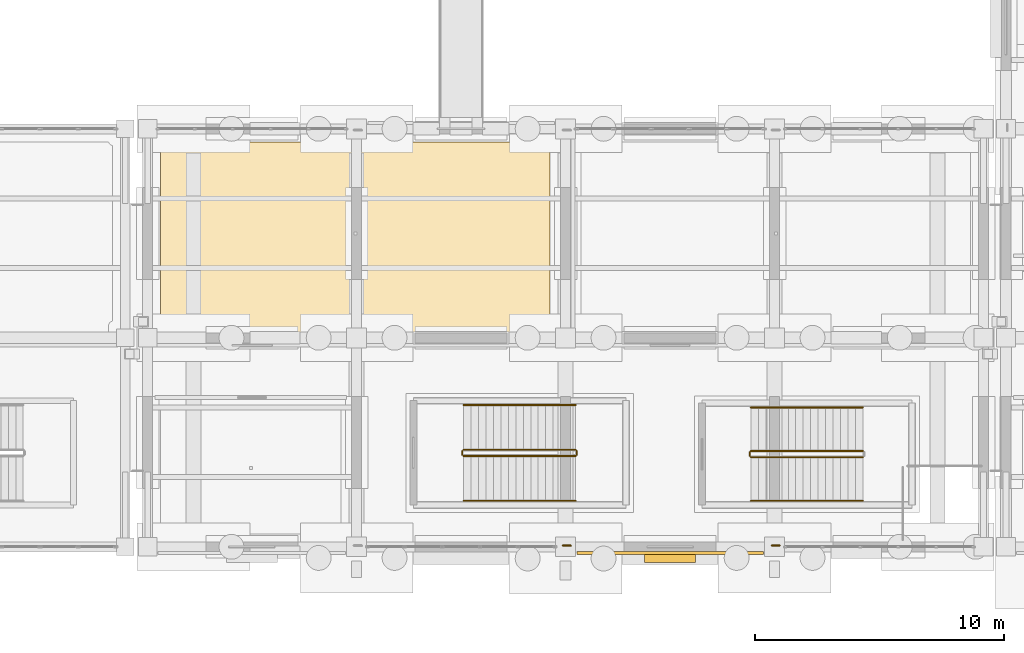
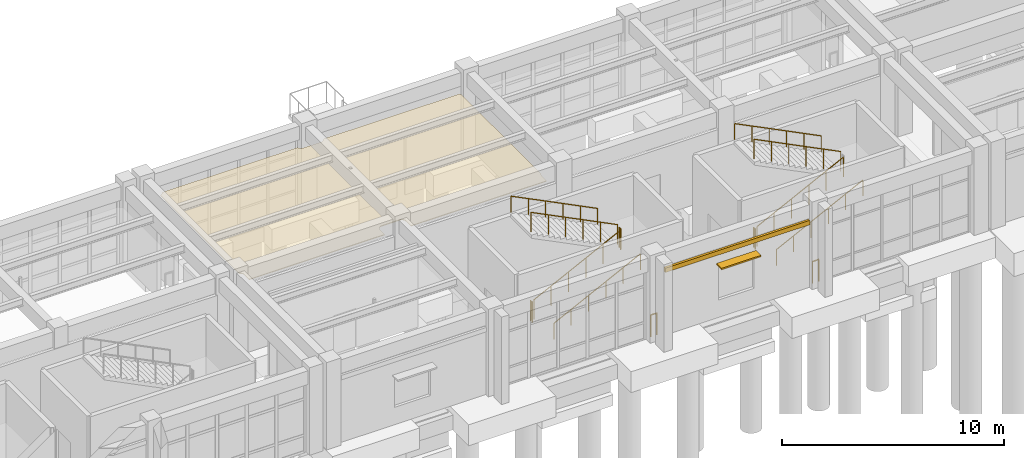
# One storey, part 99 of 111: 13 railings, 2 coverings, 1 shading device.
"""IFC4 building model written with IfcOpenShell, lengths in metres."""

from ifc_helpers import new_model, si_unit, direction, frame, origin, origin_2d, place, context, subcontext, project, spatial, polyline, rectangle, circle, outline, extrude, material, layer, layer_set, type_object, element, save


model = new_model("IFC4")

# Units and contexts
model_context = context("Model", 3, precision=1e-05, world=origin(), true_north=direction((0.0, 1.0)))
body_context = subcontext(model_context, "Body", "Model", "MODEL_VIEW")
ifc_project = project(units=[si_unit("LENGTHUNIT", "METRE"), si_unit("AREAUNIT", "SQUARE_METRE"), si_unit("VOLUMEUNIT", "CUBIC_METRE"), si_unit("PLANEANGLEUNIT", "RADIAN"), si_unit("MASSUNIT", "GRAM", prefix="KILO")], contexts=[model_context])

# Site, building, storey
site_placement = place(None, origin())
site = spatial("IfcSite", under=ifc_project, at=site_placement, CompositionType="ELEMENT")
building_placement = place(site_placement, origin())
building = spatial("IfcBuilding", under=site, at=building_placement, Name="Canglan Escarpment Cableway Terminal", CompositionType="ELEMENT")
storey_placement = place(building_placement, frame((0.0, 0.0, 4.800048828125)))
storey = spatial("IfcBuildingStorey", under=building, at=storey_placement, Name="L01", CompositionType="ELEMENT", Elevation=4.800048828125)

# Coverings
ifc_material_1 = material(Name="Micro-perforated acoustic aluminium ceiling", Category="aluminium")
ifc_layer_1 = layer(ifc_material_1, 0.0400390625, Name="Micro-perforated acoustic aluminium ceiling")
ifc_layer_set_1 = layer_set([ifc_layer_1], Name="Micro-perforated acoustic aluminium ceiling")
covering_type_1 = type_object("IfcCoveringType", Name="COV-CEIL-ACOUSTIC-40", PredefinedType="CEILING", material=ifc_layer_set_1)
covering_1_placement = place(storey_placement, frame((0.0, 0.0, 3.6298828125)))
element("IfcCovering", 1, at=covering_1_placement, inside=storey, type_object=covering_type_1, Name="Equipment Rental Hall suspended acoustic ceiling", PredefinedType="CEILING", context=body_context, shape_type="SweptSolid", body=[
    extrude(outline(polyline([(77.533203125, 17.067138671875), (77.531494140625, 17.06787109375), (77.52978515625, 17.06884765625), (77.5283203125, 17.06982421875), (77.52685546875, 17.071044921875), (77.525390625, 17.072265625), (77.524169921875, 17.07373046875), (77.523193359375, 17.0751953125), (77.522216796875, 17.076904296875), (77.521484375, 17.07861328125), (77.520751953125, 17.080322265625), (77.5205078125, 17.082275390625), (77.52001953125, 17.083984375), (77.52001953125, 17.0859375), (77.52001953125, 24.114013671875), (77.52001953125, 24.115966796875), (77.5205078125, 24.117919921875), (77.520751953125, 24.11962890625), (77.521484375, 24.121337890625), (77.522216796875, 24.123046875), (77.523193359375, 24.124755859375), (77.524169921875, 24.126220703125), (77.525390625, 24.127685546875), (77.52685546875, 24.12890625), (77.5283203125, 24.130126953125), (77.52978515625, 24.131103515625), (77.531494140625, 24.132080078125), (77.533203125, 24.1328125), (77.543701171875, 24.13671875), (77.544677734375, 24.136962890625), (77.563232421875, 24.145751953125), (77.564208984375, 24.146240234375), (77.581787109375, 24.15673828125), (77.58251953125, 24.157470703125), (77.59912109375, 24.169677734375), (77.599853515625, 24.17041015625), (77.615234375, 24.18408203125), (77.615966796875, 24.184814453125), (77.629638671875, 24.2001953125), (77.63037109375, 24.20068359375), (77.642578125, 24.21728515625), (77.643310546875, 24.21826171875), (77.65380859375, 24.23583984375), (77.654296875, 24.23681640625), (77.6630859375, 24.25537109375), (77.663330078125, 24.25634765625), (77.667236328125, 24.2666015625), (77.66796875, 24.2685546875), (77.668701171875, 24.270263671875), (77.669921875, 24.271728515625), (77.6708984375, 24.273193359375), (77.67236328125, 24.274658203125), (77.673583984375, 24.27587890625), (77.67529296875, 24.27685546875), (77.677001953125, 24.27783203125), (77.6787109375, 24.278564453125), (77.680419921875, 24.279296875), (77.68212890625, 24.279541015625), (77.68408203125, 24.27978515625), (77.68603515625, 24.280029296875), (84.714111328125, 24.280029296875), (84.7158203125, 24.27978515625), (84.7177734375, 24.279541015625), (84.719482421875, 24.279296875), (84.721435546875, 24.278564453125), (84.72314453125, 24.27783203125), (84.724609375, 24.27685546875), (84.726318359375, 24.27587890625), (84.727783203125, 24.274658203125), (84.72900390625, 24.273193359375), (84.730224609375, 24.271728515625), (84.731201171875, 24.270263671875), (84.732177734375, 24.2685546875), (84.73291015625, 24.2666015625), (84.736572265625, 24.25634765625), (84.737060546875, 24.25537109375), (84.745849609375, 24.23681640625), (84.74609375, 24.23583984375), (84.7568359375, 24.21826171875), (84.75732421875, 24.21728515625), (84.76953125, 24.20068359375), (84.770263671875, 24.2001953125), (84.7841796875, 24.184814453125), (84.784912109375, 24.18408203125), (84.800048828125, 24.17041015625), (84.80078125, 24.169677734375), (84.8173828125, 24.157470703125), (84.818115234375, 24.15673828125), (84.8359375, 24.146240234375), (84.836669921875, 24.145751953125), (84.85546875, 24.136962890625), (84.856201171875, 24.13671875), (84.875732421875, 24.129638671875), (84.876708984375, 24.12939453125), (84.896484375, 24.124267578125), (84.897705078125, 24.124267578125), (84.91796875, 24.12109375), (84.9189453125, 24.12109375), (84.939697265625, 24.1201171875), (84.940185546875, 24.1201171875), (85.85986328125, 24.1201171875), (85.860107421875, 24.1201171875), (85.881103515625, 24.12109375), (85.882080078125, 24.12109375), (85.90234375, 24.124267578125), (85.9033203125, 24.124267578125), (85.92333984375, 24.12939453125), (85.92431640625, 24.129638671875), (85.943603515625, 24.13671875), (85.944580078125, 24.136962890625), (85.96337890625, 24.145751953125), (85.964111328125, 24.146240234375), (85.981689453125, 24.15673828125), (85.982666015625, 24.157470703125), (85.999267578125, 24.169677734375), (86.0, 24.17041015625), (86.01513671875, 24.18408203125), (86.015869140625, 24.184814453125), (86.02978515625, 24.2001953125), (86.030517578125, 24.20068359375), (86.04248046875, 24.21728515625), (86.043212890625, 24.21826171875), (86.0537109375, 24.23583984375), (86.05419921875, 24.23681640625), (86.06298828125, 24.25537109375), (86.0634765625, 24.25634765625), (86.067138671875, 24.2666015625), (86.06787109375, 24.2685546875), (86.06884765625, 24.270263671875), (86.06982421875, 24.271728515625), (86.071044921875, 24.273193359375), (86.072265625, 24.274658203125), (86.07373046875, 24.27587890625), (86.0751953125, 24.27685546875), (86.076904296875, 24.27783203125), (86.07861328125, 24.278564453125), (86.080322265625, 24.279296875), (86.082275390625, 24.279541015625), (86.083984375, 24.27978515625), (86.0859375, 24.280029296875), (93.114013671875, 24.280029296875), (93.115966796875, 24.27978515625), (93.117919921875, 24.279541015625), (93.11962890625, 24.279296875), (93.121337890625, 24.278564453125), (93.123046875, 24.27783203125), (93.124755859375, 24.27685546875), (93.126220703125, 24.27587890625), (93.127685546875, 24.274658203125), (93.12890625, 24.273193359375), (93.130126953125, 24.271728515625), (93.131103515625, 24.270263671875), (93.132080078125, 24.2685546875), (93.1328125, 24.2666015625), (93.13671875, 24.25634765625), (93.136962890625, 24.25537109375), (93.145751953125, 24.23681640625), (93.146240234375, 24.23583984375), (93.15673828125, 24.21826171875), (93.157470703125, 24.21728515625), (93.169677734375, 24.20068359375), (93.17041015625, 24.2001953125), (93.1748046875, 24.195068359375), (93.176025390625, 24.193359375), (93.17724609375, 24.191650390625), (93.17822265625, 24.189697265625), (93.178955078125, 24.187744140625), (93.1796875, 24.185791015625), (93.179931640625, 24.18359375), (93.179931640625, 24.181640625), (93.179931640625, 17.018310546875), (93.179931640625, 17.016357421875), (93.1796875, 17.01416015625), (93.178955078125, 17.01220703125), (93.17822265625, 17.01025390625), (93.17724609375, 17.00830078125), (93.176025390625, 17.006591796875), (93.1748046875, 17.0048828125), (93.17041015625, 17.0), (93.169677734375, 16.999267578125), (93.157470703125, 16.982666015625), (93.15673828125, 16.981689453125), (93.146240234375, 16.964111328125), (93.145751953125, 16.96337890625), (93.136962890625, 16.944580078125), (93.13671875, 16.943603515625), (93.129638671875, 16.92431640625), (93.12939453125, 16.92333984375), (93.124267578125, 16.9033203125), (93.124267578125, 16.90234375), (93.12109375, 16.882080078125), (93.12109375, 16.881103515625), (93.1201171875, 16.860107421875), (93.1201171875, 16.85986328125), (93.1201171875, 16.43994140625), (93.119873046875, 16.43798828125), (93.11962890625, 16.43603515625), (93.119140625, 16.43408203125), (93.118408203125, 16.432373046875), (93.11767578125, 16.4306640625), (93.11669921875, 16.428955078125), (93.115478515625, 16.42724609375), (93.114013671875, 16.42578125), (93.11279296875, 16.424560546875), (93.111083984375, 16.42333984375), (93.109375, 16.42236328125), (93.107666015625, 16.42138671875), (93.105712890625, 16.4208984375), (93.10400390625, 16.42041015625), (93.10205078125, 16.420166015625), (93.10009765625, 16.419921875), (86.10009765625, 16.419921875), (86.097900390625, 16.420166015625), (86.09619140625, 16.42041015625), (86.09423828125, 16.4208984375), (86.09228515625, 16.42138671875), (86.090576171875, 16.42236328125), (86.0888671875, 16.42333984375), (86.08740234375, 16.424560546875), (86.0859375, 16.42578125), (86.08447265625, 16.42724609375), (86.08349609375, 16.428955078125), (86.08251953125, 16.4306640625), (86.08154296875, 16.432373046875), (86.080810546875, 16.43408203125), (86.080322265625, 16.43603515625), (86.080078125, 16.43798828125), (86.080078125, 16.43994140625), (86.080078125, 16.85986328125), (86.080078125, 16.860107421875), (86.0791015625, 16.881103515625), (86.078857421875, 16.882080078125), (86.07568359375, 16.90234375), (86.07568359375, 16.9033203125), (86.070556640625, 16.92333984375), (86.0703125, 16.92431640625), (86.0634765625, 16.943603515625), (86.06298828125, 16.944580078125), (86.05419921875, 16.96337890625), (86.0537109375, 16.964111328125), (86.043212890625, 16.981689453125), (86.04248046875, 16.982666015625), (86.030517578125, 16.999267578125), (86.02978515625, 17.0), (86.015869140625, 17.01513671875), (86.01513671875, 17.015869140625), (86.0, 17.02978515625), (85.999267578125, 17.030517578125), (85.982666015625, 17.04248046875), (85.981689453125, 17.043212890625), (85.964111328125, 17.0537109375), (85.96337890625, 17.05419921875), (85.944580078125, 17.06298828125), (85.943603515625, 17.0634765625), (85.92431640625, 17.0703125), (85.92333984375, 17.070556640625), (85.9033203125, 17.07568359375), (85.90234375, 17.07568359375), (85.882080078125, 17.078857421875), (85.881103515625, 17.0791015625), (85.860107421875, 17.080078125), (85.85986328125, 17.080078125), (84.940185546875, 17.080078125), (84.939697265625, 17.080078125), (84.9189453125, 17.0791015625), (84.91796875, 17.078857421875), (84.897705078125, 17.07568359375), (84.896484375, 17.07568359375), (84.876708984375, 17.070556640625), (84.875732421875, 17.0703125), (84.856201171875, 17.0634765625), (84.85546875, 17.06298828125), (84.836669921875, 17.05419921875), (84.8359375, 17.0537109375), (84.818115234375, 17.043212890625), (84.8173828125, 17.04248046875), (84.80078125, 17.030517578125), (84.800048828125, 17.02978515625), (84.784912109375, 17.015869140625), (84.7841796875, 17.01513671875), (84.770263671875, 17.0), (84.76953125, 16.999267578125), (84.75732421875, 16.982666015625), (84.7568359375, 16.981689453125), (84.74609375, 16.964111328125), (84.745849609375, 16.96337890625), (84.737060546875, 16.944580078125), (84.736572265625, 16.943603515625), (84.7294921875, 16.92431640625), (84.7294921875, 16.92333984375), (84.724365234375, 16.9033203125), (84.72412109375, 16.90234375), (84.72119140625, 16.882080078125), (84.720947265625, 16.881103515625), (84.719970703125, 16.860107421875), (84.719970703125, 16.85986328125), (84.719970703125, 16.43994140625), (84.719970703125, 16.43798828125), (84.719482421875, 16.43603515625), (84.718994140625, 16.43408203125), (84.718505859375, 16.432373046875), (84.717529296875, 16.4306640625), (84.716552734375, 16.428955078125), (84.715576171875, 16.42724609375), (84.714111328125, 16.42578125), (84.712646484375, 16.424560546875), (84.711181640625, 16.42333984375), (84.70947265625, 16.42236328125), (84.707763671875, 16.42138671875), (84.705810546875, 16.4208984375), (84.703857421875, 16.42041015625), (84.701904296875, 16.420166015625), (84.699951171875, 16.419921875), (77.699951171875, 16.419921875), (77.697998046875, 16.420166015625), (77.696044921875, 16.42041015625), (77.694091796875, 16.4208984375), (77.6923828125, 16.42138671875), (77.690673828125, 16.42236328125), (77.68896484375, 16.42333984375), (77.687255859375, 16.424560546875), (77.685791015625, 16.42578125), (77.6845703125, 16.42724609375), (77.683349609375, 16.428955078125), (77.682373046875, 16.4306640625), (77.681396484375, 16.432373046875), (77.680908203125, 16.43408203125), (77.680419921875, 16.43603515625), (77.68017578125, 16.43798828125), (77.679931640625, 16.43994140625), (77.679931640625, 16.85986328125), (77.679931640625, 16.860107421875), (77.678955078125, 16.881103515625), (77.678955078125, 16.882080078125), (77.67578125, 16.90234375), (77.67578125, 16.9033203125), (77.670654296875, 16.92333984375), (77.67041015625, 16.92431640625), (77.663330078125, 16.943603515625), (77.6630859375, 16.944580078125), (77.654296875, 16.96337890625), (77.65380859375, 16.964111328125), (77.643310546875, 16.981689453125), (77.642578125, 16.982666015625), (77.63037109375, 16.999267578125), (77.629638671875, 17.0), (77.615966796875, 17.01513671875), (77.615234375, 17.015869140625), (77.599853515625, 17.02978515625), (77.59912109375, 17.030517578125), (77.58251953125, 17.04248046875), (77.581787109375, 17.043212890625), (77.564208984375, 17.0537109375), (77.563232421875, 17.05419921875), (77.544677734375, 17.06298828125), (77.543701171875, 17.0634765625), (77.533203125, 17.067138671875)])), origin(), (0.0, 0.0, 1.0), 0.0400390625),
])
ifc_material_2 = material(Name="Carved classical limestone cornice", Category="masonry")
ifc_layer_2 = layer(ifc_material_2, 0.1201171875, Name="Carved classical limestone cornice")
ifc_layer_set_2 = layer_set([ifc_layer_2], Name="Carved classical limestone cornice")
covering_type_2 = type_object("IfcCoveringType", Name="COV-CORNICE-STONE", PredefinedType="CLADDING", material=ifc_layer_set_2)
covering_2_placement = place(storey_placement, frame((98.0, 7.760009765625, 3.52490234375), z_axis=(0.0, 0.0, 1.0), x_axis=(1.0, 0.0, 0.0)))
element("IfcCovering", 2, at=covering_2_placement, inside=storey, type_object=covering_type_2, Name="Classical carved limestone cornice CL-01", PredefinedType="CLADDING", context=body_context, shape_type="SweptSolid", body=[
    extrude(rectangle(XDim=7.5, YDim=0.1201171875, at=origin_2d()), origin(), (0.0, 0.0, 1.0), 0.239990234375),
])

# Railings
ifc_material_3 = material(Name="Carved limestone and anodized bronze balustrade", Category="masonry")
railing_type_1 = type_object("IfcRailingType", Name="RL-EXT-BALUSTRADE-1200", PredefinedType="BALUSTRADE", material=ifc_material_3)
railing_1_placement = place(storey_placement, frame((102.409912109375, 8.050048828125, 0.0)))
element("IfcRailing", 3, at=railing_1_placement, inside=storey, type_object=railing_type_1, Name="Classical terrace balustrade guard GD-01 (L01)", PredefinedType="BALUSTRADE", context=body_context, shape_type="SweptSolid", body=[
    extrude(circle(Radius=0.02392578125, at=origin_2d()), frame((0.0, 0.0, 1.17578125), z_axis=(-1.0, 0.0, 0.0), x_axis=(0.0, -1.0, 0.0)), (0.0, 0.0, 1.0), 0.31982421875),
    extrude(circle(Radius=0.02099609375, at=origin_2d()), origin(), (0.0, 0.0, 1.0), 1.15185546875),
    extrude(circle(Radius=0.02099609375, at=origin_2d()), frame((-0.31982421875, 0.0, 0.0)), (0.0, 0.0, 1.0), 1.15185546875),
])
railing_2_placement = place(storey_placement, frame((94.010009765625, 8.050048828125, 0.0)))
element("IfcRailing", 4, at=railing_2_placement, inside=storey, type_object=railing_type_1, Name="Classical terrace balustrade guard GD-01 (L01)", PredefinedType="BALUSTRADE", context=body_context, shape_type="SweptSolid", body=[
    extrude(circle(Radius=0.02392578125, at=origin_2d()), frame((0.0, 0.0, 1.17578125), z_axis=(-1.0, 0.0, 0.0), x_axis=(0.0, -1.0, 0.0)), (0.0, 0.0, 1.0), 0.320068359375),
    extrude(circle(Radius=0.02099609375, at=origin_2d()), origin(), (0.0, 0.0, 1.0), 1.15185546875),
    extrude(circle(Radius=0.02099609375, at=origin_2d()), frame((-0.320068359375, 0.0, 0.0)), (0.0, 0.0, 1.0), 1.15185546875),
])
ifc_material_4 = material(Name="Powder-coated steel stair balustrade", Category="steel")
railing_type_2 = type_object("IfcRailingType", Name="RL-STR-GUARD-1100", PredefinedType="BALUSTRADE", material=ifc_material_4)
railing_3_placement = place(storey_placement, frame((89.699951171875, 11.64990234375, 0.14990234375)))
element("IfcRailing", 5, at=railing_3_placement, inside=storey, type_object=railing_type_2, Name="L01 ST-06 stair guard 1", PredefinedType="BALUSTRADE", context=body_context, shape_type="SweptSolid", body=[
    extrude(circle(Radius=0.02392578125, at=origin_2d()), frame((0.0, 0.0, 1.076171875), z_axis=(0.894427191, 0.0, 0.4472135955), x_axis=(0.0, 1.0, 0.0)), (0.0, 0.0, 1.0), 5.03125),
    extrude(circle(Radius=0.02099609375, at=origin_2d()), origin(), (0.0, 0.0, 1.0), 1.052001953125),
    extrude(circle(Radius=0.02099609375, at=origin_2d()), frame((0.89990234375, 0.0, 0.449951171875)), (0.0, 0.0, 1.0), 1.052001953125),
    extrude(circle(Radius=0.02099609375, at=origin_2d()), frame((1.800048828125, 0.0, 0.89990234375)), (0.0, 0.0, 1.0), 1.052001953125),
    extrude(circle(Radius=0.02099609375, at=origin_2d()), frame((2.699951171875, 0.0, 1.35009765625)), (0.0, 0.0, 1.0), 1.052001953125),
    extrude(circle(Radius=0.02099609375, at=origin_2d()), frame((3.60009765625, 0.0, 1.800048828125)), (0.0, 0.0, 1.0), 1.052001953125),
    extrude(circle(Radius=0.02099609375, at=origin_2d()), frame((4.5, 0.0, 2.25)), (0.0, 0.0, 1.0), 1.052001953125),
])
railing_4_placement = place(storey_placement, frame((94.25, 11.699951171875, 2.39990234375)))
element("IfcRailing", 6, at=railing_4_placement, inside=storey, type_object=railing_type_2, Name="L01 ST-06 stair guard 2", PredefinedType="BALUSTRADE", context=body_context, shape_type="SweptSolid", body=[
    extrude(circle(Radius=0.02392578125, at=origin_2d()), frame((0.0, 0.0, 1.076171875), z_axis=(0.0, 1.0, 0.0), x_axis=(-1.0, 0.0, 0.0)), (0.0, 0.0, 1.0), 0.150146484375),
    extrude(circle(Radius=0.02099609375, at=origin_2d()), origin(), (0.0, 0.0, 1.0), 1.052001953125),
    extrude(circle(Radius=0.02099609375, at=origin_2d()), frame((0.0, 0.150146484375, 0.0)), (0.0, 0.0, 1.0), 1.052001953125),
])
railing_5_placement = place(storey_placement, frame((94.199951171875, 11.89990234375, 2.550048828125)))
element("IfcRailing", 7, at=railing_5_placement, inside=storey, type_object=railing_type_2, Name="L01 ST-06 stair guard 3", PredefinedType="BALUSTRADE", context=body_context, shape_type="SweptSolid", body=[
    extrude(circle(Radius=0.02392578125, at=origin_2d()), frame((0.0, 0.0, 1.076171875), z_axis=(-0.894427191, 0.0, 0.4472135955), x_axis=(0.0, -1.0, 0.0)), (0.0, 0.0, 1.0), 5.03125),
    extrude(circle(Radius=0.02099609375, at=origin_2d()), origin(), (0.0, 0.0, 1.0), 1.052001953125),
    extrude(circle(Radius=0.02099609375, at=origin_2d()), frame((-0.89990234375, 0.0, 0.449951171875)), (0.0, 0.0, 1.0), 1.052001953125),
    extrude(circle(Radius=0.02099609375, at=origin_2d()), frame((-1.800048828125, 0.0, 0.89990234375)), (0.0, 0.0, 1.0), 1.052001953125),
    extrude(circle(Radius=0.02099609375, at=origin_2d()), frame((-2.699951171875, 0.0, 1.35009765625)), (0.0, 0.0, 1.0), 1.052001953125),
    extrude(circle(Radius=0.02099609375, at=origin_2d()), frame((-3.60009765625, 0.0, 1.800048828125)), (0.0, 0.0, 1.0), 1.052001953125),
    extrude(circle(Radius=0.02099609375, at=origin_2d()), frame((-4.5, 0.0, 2.25)), (0.0, 0.0, 1.0), 1.052001953125),
])
railing_6_placement = place(storey_placement, frame((89.64990234375, 11.699951171875, 0.0)))
element("IfcRailing", 8, at=railing_6_placement, inside=storey, type_object=railing_type_2, Name="L01 ST-06 stair guard 4", PredefinedType="BALUSTRADE", context=body_context, shape_type="SweptSolid", body=[
    extrude(circle(Radius=0.02392578125, at=origin_2d()), frame((0.0, 0.0, 1.076171875), z_axis=(0.0, 1.0, 0.0), x_axis=(-1.0, 0.0, 0.0)), (0.0, 0.0, 1.0), 0.150146484375),
    extrude(circle(Radius=0.02099609375, at=origin_2d()), origin(), (0.0, 0.0, 1.0), 1.052001953125),
    extrude(circle(Radius=0.02099609375, at=origin_2d()), frame((0.0, 0.150146484375, 0.0)), (0.0, 0.0, 1.0), 1.052001953125),
])
railing_7_placement = place(storey_placement, frame((101.25, 11.60009765625, 0.14990234375)))
element("IfcRailing", 9, at=railing_7_placement, inside=storey, type_object=railing_type_2, Name="L01 ST-14 stair guard 1", PredefinedType="BALUSTRADE", context=body_context, shape_type="SweptSolid", body=[
    extrude(circle(Radius=0.02392578125, at=origin_2d()), frame((0.0, 0.0, 1.076171875), z_axis=(0.894427191, 0.0, 0.4472135955), x_axis=(0.0, 1.0, 0.0)), (0.0, 0.0, 1.0), 5.03125),
    extrude(circle(Radius=0.02099609375, at=origin_2d()), origin(), (0.0, 0.0, 1.0), 1.052001953125),
    extrude(circle(Radius=0.02099609375, at=origin_2d()), frame((0.89990234375, 0.0, 0.449951171875)), (0.0, 0.0, 1.0), 1.052001953125),
    extrude(circle(Radius=0.02099609375, at=origin_2d()), frame((1.800048828125, 0.0, 0.89990234375)), (0.0, 0.0, 1.0), 1.052001953125),
    extrude(circle(Radius=0.02099609375, at=origin_2d()), frame((2.699951171875, 0.0, 1.35009765625)), (0.0, 0.0, 1.0), 1.052001953125),
    extrude(circle(Radius=0.02099609375, at=origin_2d()), frame((3.60009765625, 0.0, 1.800048828125)), (0.0, 0.0, 1.0), 1.052001953125),
    extrude(circle(Radius=0.02099609375, at=origin_2d()), frame((4.5, 0.0, 2.25)), (0.0, 0.0, 1.0), 1.052001953125),
])
railing_8_placement = place(storey_placement, frame((105.75, 11.85009765625, 2.550048828125)))
element("IfcRailing", 10, at=railing_8_placement, inside=storey, type_object=railing_type_2, Name="L01 ST-14 stair guard 3", PredefinedType="BALUSTRADE", context=body_context, shape_type="SweptSolid", body=[
    extrude(circle(Radius=0.02392578125, at=origin_2d()), frame((0.0, 0.0, 1.076171875), z_axis=(-0.894427191, 0.0, 0.4472135955), x_axis=(0.0, -1.0, 0.0)), (0.0, 0.0, 1.0), 5.03125),
    extrude(circle(Radius=0.02099609375, at=origin_2d()), origin(), (0.0, 0.0, 1.0), 1.052001953125),
    extrude(circle(Radius=0.02099609375, at=origin_2d()), frame((-0.89990234375, 0.0, 0.449951171875)), (0.0, 0.0, 1.0), 1.052001953125),
    extrude(circle(Radius=0.02099609375, at=origin_2d()), frame((-1.800048828125, 0.0, 0.89990234375)), (0.0, 0.0, 1.0), 1.052001953125),
    extrude(circle(Radius=0.02099609375, at=origin_2d()), frame((-2.699951171875, 0.0, 1.35009765625)), (0.0, 0.0, 1.0), 1.052001953125),
    extrude(circle(Radius=0.02099609375, at=origin_2d()), frame((-3.60009765625, 0.0, 1.800048828125)), (0.0, 0.0, 1.0), 1.052001953125),
    extrude(circle(Radius=0.02099609375, at=origin_2d()), frame((-4.5, 0.0, 2.25)), (0.0, 0.0, 1.0), 1.052001953125),
])
railing_9_placement = place(storey_placement, frame((101.199951171875, 11.64990234375, 0.0)))
element("IfcRailing", 11, at=railing_9_placement, inside=storey, type_object=railing_type_2, Name="L01 ST-14 stair guard 4", PredefinedType="BALUSTRADE", context=body_context, shape_type="SweptSolid", body=[
    extrude(circle(Radius=0.02392578125, at=origin_2d()), frame((0.0, 0.0, 1.076171875), z_axis=(0.0, 1.0, 0.0), x_axis=(-1.0, 0.0, 0.0)), (0.0, 0.0, 1.0), 0.150146484375),
    extrude(circle(Radius=0.02099609375, at=origin_2d()), origin(), (0.0, 0.0, 1.0), 1.052001953125),
    extrude(circle(Radius=0.02099609375, at=origin_2d()), frame((0.0, 0.150146484375, 0.0)), (0.0, 0.0, 1.0), 1.052001953125),
])
ifc_material_5 = material(Name="Brushed stainless steel 304 handrail", Category="steel")
railing_type_3 = type_object("IfcRailingType", Name="RL-STR-HR-900", PredefinedType="HANDRAIL", material=ifc_material_5)
railing_10_placement = place(storey_placement, frame((89.699951171875, 9.85009765625, 0.14990234375)))
element("IfcRailing", 12, at=railing_10_placement, inside=storey, type_object=railing_type_3, Name="L01 ST-06 stair handrail 1", PredefinedType="HANDRAIL", context=body_context, shape_type="SweptSolid", body=[
    extrude(circle(Radius=0.02392578125, at=origin_2d()), frame((0.0, 0.0, 0.8759765625), z_axis=(0.894427191, 0.0, 0.4472135955), x_axis=(0.0, 1.0, 0.0)), (0.0, 0.0, 1.0), 5.03125),
    extrude(circle(Radius=0.02099609375, at=origin_2d()), origin(), (0.0, 0.0, 1.0), 0.851806640625),
    extrude(circle(Radius=0.02099609375, at=origin_2d()), frame((0.89990234375, 0.0, 0.449951171875)), (0.0, 0.0, 1.0), 0.851806640625),
    extrude(circle(Radius=0.02099609375, at=origin_2d()), frame((1.800048828125, 0.0, 0.89990234375)), (0.0, 0.0, 1.0), 0.851806640625),
    extrude(circle(Radius=0.02099609375, at=origin_2d()), frame((2.699951171875, 0.0, 1.35009765625)), (0.0, 0.0, 1.0), 0.851806640625),
    extrude(circle(Radius=0.02099609375, at=origin_2d()), frame((3.60009765625, 0.0, 1.800048828125)), (0.0, 0.0, 1.0), 0.851806640625),
    extrude(circle(Radius=0.02099609375, at=origin_2d()), frame((4.5, 0.0, 2.25)), (0.0, 0.0, 1.0), 0.851806640625),
])
railing_11_placement = place(storey_placement, frame((94.199951171875, 13.699951171875, 2.550048828125)))
element("IfcRailing", 13, at=railing_11_placement, inside=storey, type_object=railing_type_3, Name="L01 ST-06 stair handrail 2", PredefinedType="HANDRAIL", context=body_context, shape_type="SweptSolid", body=[
    extrude(circle(Radius=0.02392578125, at=origin_2d()), frame((0.0, 0.0, 0.8759765625), z_axis=(-0.894427191, 0.0, 0.4472135955), x_axis=(0.0, -1.0, 0.0)), (0.0, 0.0, 1.0), 5.03125),
    extrude(circle(Radius=0.02099609375, at=origin_2d()), origin(), (0.0, 0.0, 1.0), 0.851806640625),
    extrude(circle(Radius=0.02099609375, at=origin_2d()), frame((-0.89990234375, 0.0, 0.449951171875)), (0.0, 0.0, 1.0), 0.851806640625),
    extrude(circle(Radius=0.02099609375, at=origin_2d()), frame((-1.800048828125, 0.0, 0.89990234375)), (0.0, 0.0, 1.0), 0.851806640625),
    extrude(circle(Radius=0.02099609375, at=origin_2d()), frame((-2.699951171875, 0.0, 1.35009765625)), (0.0, 0.0, 1.0), 0.851806640625),
    extrude(circle(Radius=0.02099609375, at=origin_2d()), frame((-3.60009765625, 0.0, 1.800048828125)), (0.0, 0.0, 1.0), 0.851806640625),
    extrude(circle(Radius=0.02099609375, at=origin_2d()), frame((-4.5, 0.0, 2.25)), (0.0, 0.0, 1.0), 0.851806640625),
])
railing_12_placement = place(storey_placement, frame((101.25, 9.85009765625, 0.14990234375)))
element("IfcRailing", 14, at=railing_12_placement, inside=storey, type_object=railing_type_3, Name="L01 ST-14 stair handrail 1", PredefinedType="HANDRAIL", context=body_context, shape_type="SweptSolid", body=[
    extrude(circle(Radius=0.02392578125, at=origin_2d()), frame((0.0, 0.0, 0.8759765625), z_axis=(0.894427191, 0.0, 0.4472135955), x_axis=(0.0, 1.0, 0.0)), (0.0, 0.0, 1.0), 5.03125),
    extrude(circle(Radius=0.02099609375, at=origin_2d()), origin(), (0.0, 0.0, 1.0), 0.851806640625),
    extrude(circle(Radius=0.02099609375, at=origin_2d()), frame((0.89990234375, 0.0, 0.449951171875)), (0.0, 0.0, 1.0), 0.851806640625),
    extrude(circle(Radius=0.02099609375, at=origin_2d()), frame((1.800048828125, 0.0, 0.89990234375)), (0.0, 0.0, 1.0), 0.851806640625),
    extrude(circle(Radius=0.02099609375, at=origin_2d()), frame((2.699951171875, 0.0, 1.35009765625)), (0.0, 0.0, 1.0), 0.851806640625),
    extrude(circle(Radius=0.02099609375, at=origin_2d()), frame((3.60009765625, 0.0, 1.800048828125)), (0.0, 0.0, 1.0), 0.851806640625),
    extrude(circle(Radius=0.02099609375, at=origin_2d()), frame((4.5, 0.0, 2.25)), (0.0, 0.0, 1.0), 0.851806640625),
])
railing_13_placement = place(storey_placement, frame((105.75, 13.60009765625, 2.550048828125)))
element("IfcRailing", 15, at=railing_13_placement, inside=storey, type_object=railing_type_3, Name="L01 ST-14 stair handrail 2", PredefinedType="HANDRAIL", context=body_context, shape_type="SweptSolid", body=[
    extrude(circle(Radius=0.02392578125, at=origin_2d()), frame((0.0, 0.0, 0.8759765625), z_axis=(-0.894427191, 0.0, 0.4472135955), x_axis=(0.0, -1.0, 0.0)), (0.0, 0.0, 1.0), 5.03125),
    extrude(circle(Radius=0.02099609375, at=origin_2d()), origin(), (0.0, 0.0, 1.0), 0.851806640625),
    extrude(circle(Radius=0.02099609375, at=origin_2d()), frame((-0.89990234375, 0.0, 0.449951171875)), (0.0, 0.0, 1.0), 0.851806640625),
    extrude(circle(Radius=0.02099609375, at=origin_2d()), frame((-1.800048828125, 0.0, 0.89990234375)), (0.0, 0.0, 1.0), 0.851806640625),
    extrude(circle(Radius=0.02099609375, at=origin_2d()), frame((-2.699951171875, 0.0, 1.35009765625)), (0.0, 0.0, 1.0), 0.851806640625),
    extrude(circle(Radius=0.02099609375, at=origin_2d()), frame((-3.60009765625, 0.0, 1.800048828125)), (0.0, 0.0, 1.0), 0.851806640625),
    extrude(circle(Radius=0.02099609375, at=origin_2d()), frame((-4.5, 0.0, 2.25)), (0.0, 0.0, 1.0), 0.851806640625),
])

# Shading device
ifc_material_6 = material(Name="Anodized architectural bronze aluminium", Category="aluminium")
ifc_layer_3 = layer(ifc_material_6, 0.080078125, Name="Anodized architectural bronze aluminium")
ifc_layer_set_3 = layer_set([ifc_layer_3], Name="Anodized architectural bronze aluminium")
shading_device_type = type_object("IfcShadingDeviceType", Name="SHD-BRONZE-LOUVRE-01", PredefinedType="JALOUSIE", material=ifc_layer_set_3)
shading_device_placement = place(storey_placement, frame((98.0, 7.594970703125, 2.919921875), z_axis=(0.0, 0.0, 1.0), x_axis=(1.0, 0.0, 0.0)))
element("IfcShadingDevice", 16, at=shading_device_placement, inside=storey, type_object=shading_device_type, Name="Anodized bronze sun-shading brise-soleil SD-01", PredefinedType="JALOUSIE", context=body_context, shape_type="SweptSolid", body=[
    extrude(rectangle(XDim=2.050048828125, YDim=0.449951171875, at=origin_2d()), origin(), (0.0, 0.0, 1.0), 0.080078125),
])

save(model, "model.ifc")
